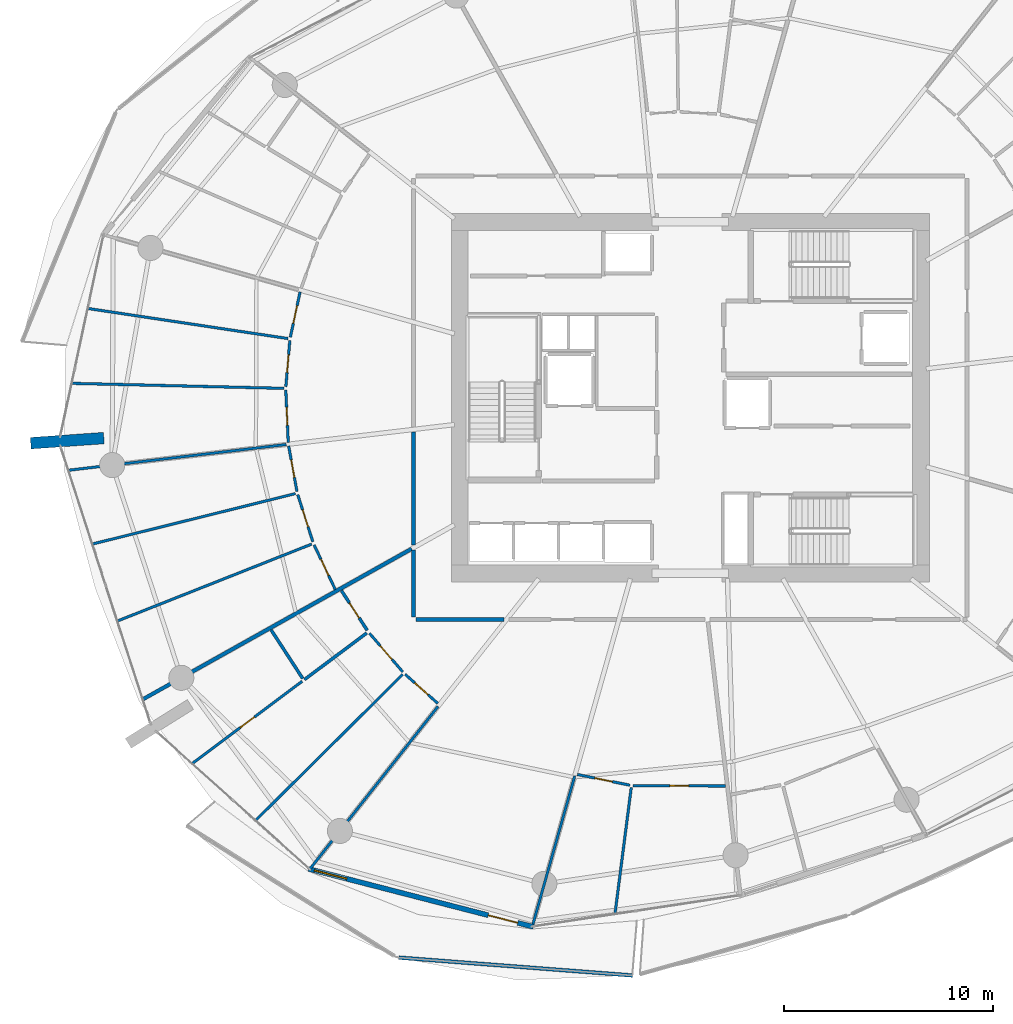
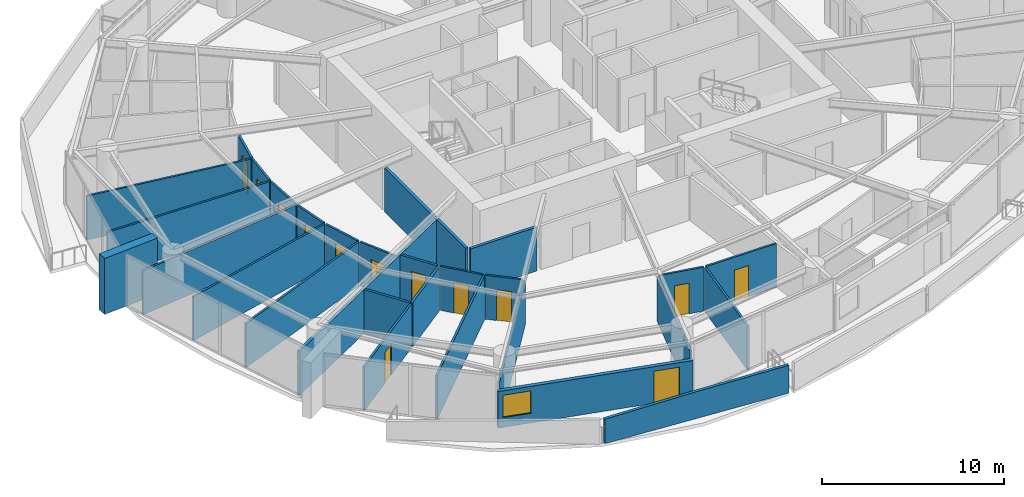
# One storey, part 11 of 23: 30 walls, 13 doors, 1 window, 14 openings.
"""IFC4 building model written with IfcOpenShell, lengths in metres."""

from ifc_helpers import new_model, si_unit, direction, frame, frame_2d, origin, place, context, subcontext, project, spatial, polyline, rectangle, outline, extrude, material, layer, layer_set, type_object, element, fill, save


model = new_model("IFC4")

# Units and contexts
model_context = context("Model", 3, precision=1e-05, world=origin(), true_north=direction((0.0, 1.0)))
body_context = subcontext(model_context, "Body", "Model", "MODEL_VIEW")
ifc_project = project(units=[si_unit("LENGTHUNIT", "METRE"), si_unit("AREAUNIT", "SQUARE_METRE"), si_unit("VOLUMEUNIT", "CUBIC_METRE"), si_unit("PLANEANGLEUNIT", "RADIAN"), si_unit("MASSUNIT", "GRAM", prefix="KILO")], contexts=[model_context])

# Site, building, storey
site_placement = place(None, origin())
site = spatial("IfcSite", under=ifc_project, at=site_placement, CompositionType="ELEMENT")
building_placement = place(site_placement, origin())
building = spatial("IfcBuilding", under=site, at=building_placement, Name="Kazma Halo Residences", CompositionType="ELEMENT")
storey_placement = place(building_placement, frame((0.0, 0.0, 78.89990234375)))
storey = spatial("IfcBuildingStorey", under=building, at=storey_placement, Name="L19", CompositionType="ELEMENT", Elevation=78.89990234375)

# Walls
ifc_material_1 = material(Name="White Concrete C50/60 Balustrade", Category="concrete")
ifc_layer_1 = layer(ifc_material_1, 0.179931640625)
ifc_layer_set_1 = layer_set([ifc_layer_1], Name="White Concrete C50/60 Balustrade")
wall_type_1 = type_object("IfcWallType", Name="WL-BAL-WAVE-180", PredefinedType="PARAPET", material=ifc_layer_set_1)
wall_1_placement = place(storey_placement, frame((34.489990234375, 15.2412109375, 0.0), z_axis=(0.0, 0.0, 1.0), x_axis=(0.997088496001, -0.076253073, 0.0)))
element("IfcWall", 1, at=wall_1_placement, inside=storey, type_object=wall_type_1, Name="L19 white wave balustrade wall SW.2", PredefinedType="PARAPET", context=body_context, shape_type="SweptSolid", body=[
    extrude(outline(polyline([(0.0, 0.0), (11.19970703125, 0.0), (11.199462890625, 1.860107421875), (5.599853515625, 1.798095703125), (0.0, 1.632080078125), (0.0, 0.0)])), frame((0.0, 0.08984375, 0.0), z_axis=(0.0, -1.0, 0.0), x_axis=(1.0, 0.0, 0.0)), (0.0, 0.0, 1.0), 0.179931640625),
])
ifc_material_2 = material(Name="Pale Concrete C60/75", Category="concrete")
ifc_layer_2 = layer(ifc_material_2, 0.550048828125)
ifc_layer_set_2 = layer_set([ifc_layer_2], Name="Pale Concrete C60/75")
wall_type_2 = type_object("IfcWallType", Name="WL-BLADE-550", PredefinedType="SOLIDWALL", material=ifc_layer_set_2)
wall_2_placement = place(storey_placement, frame((20.393798828125, 40.069580078125, 0.0), z_axis=(0.0, 0.0, 1.0), x_axis=(-0.997564163539, -0.069754853754, 0.0)))
element("IfcWall", 2, at=wall_2_placement, inside=storey, type_object=wall_type_2, Name="L19 pale concrete structural blade fin wall BW-02", PredefinedType="SOLIDWALL", context=body_context, shape_type="SweptSolid", body=[
    extrude(rectangle(XDim=3.5, YDim=0.550048828125, at=frame_2d((1.75, 0.0))), origin(), (0.0, 0.0, 1.0), 3.75),
])
ifc_material_3 = material(Name="Acoustic Twin-Stud Gypsum")
ifc_layer_3 = layer(ifc_material_3, 0.179931640625)
ifc_layer_set_3 = layer_set([ifc_layer_3], Name="Acoustic Twin-Stud Gypsum")
wall_type_3 = type_object("IfcWallType", Name="WL-DEM-180", PredefinedType="PARTITIONING", material=ifc_layer_set_3)
wall_3_placement = place(storey_placement, frame((35.10400390625, 34.778076171875, 0.0), z_axis=(0.0, 0.0, 1.0), x_axis=(-0.872490437896, -0.488631185845, 0.0)))
element("IfcWall", 3, at=wall_3_placement, inside=storey, type_object=wall_type_3, Name="L19 apartment demising radial wall 08", PredefinedType="PARTITIONING", context=body_context, shape_type="SweptSolid", body=[
    extrude(rectangle(XDim=14.698974609375, YDim=0.179931640625, at=frame_2d((7.349609375, 0.0))), origin(), (0.0, 0.0, 1.0), 2.940185546875),
])
wall_4_placement = place(storey_placement, frame((35.199951171875, 40.364990234375, 0.0), z_axis=(0.0, 0.0, 1.0), x_axis=(0.0, -1.0, 0.0)))
element("IfcWall", 4, at=wall_4_placement, inside=storey, type_object=wall_type_3, Name="L19 Apartment 1 inner wall 7", PredefinedType="PARTITIONING", context=body_context, shape_type="SweptSolid", body=[
    extrude(rectangle(XDim=5.413330078125, YDim=0.179931640625, at=frame_2d((2.70654296875, 0.0))), origin(), (0.0, 0.0, 1.0), 2.940185546875),
])
wall_5_placement = place(storey_placement, frame((35.199951171875, 34.711669921875, 0.0), z_axis=(0.0, 0.0, 1.0), x_axis=(0.0, -1.0, 0.0)))
element("IfcWall", 5, at=wall_5_placement, inside=storey, type_object=wall_type_3, Name="L19 Apartment 2 inner wall 8", PredefinedType="PARTITIONING", context=body_context, shape_type="SweptSolid", body=[
    extrude(rectangle(XDim=3.191650390625, YDim=0.179931640625, at=frame_2d((1.595703125, 0.0))), origin(), (0.0, 0.0, 1.0), 2.940185546875),
])
wall_6_placement = place(storey_placement, frame((35.320068359375, 31.39990234375, 0.0), z_axis=(0.0, 0.0, 1.0), x_axis=(1.0, 0.0, 0.0)))
element("IfcWall", 6, at=wall_6_placement, inside=storey, type_object=wall_type_3, Name="L19 Apartment 2 inner wall 8", PredefinedType="PARTITIONING", context=body_context, shape_type="SweptSolid", body=[
    extrude(rectangle(XDim=4.20361328125, YDim=0.179931640625, at=frame_2d((2.101806640625, 0.0))), origin(), (0.0, 0.0, 1.0), 2.940185546875),
])

# Wall, openings, door, window
ifc_material_4 = material(Name="Insulated Pale-Metal Composite Wall")
ifc_layer_4 = layer(ifc_material_4, 0.239990234375)
ifc_layer_set_4 = layer_set([ifc_layer_4], Name="Insulated Pale-Metal Composite Wall")
wall_type_4 = type_object("IfcWallType", Name="WL-EXT-HOST-240", PredefinedType="SOLIDWALL", material=ifc_layer_set_4)
wall_7_placement = place(storey_placement, frame((30.18603515625, 19.47705078125, 0.0), z_axis=(0.0, 0.0, 1.0), x_axis=(0.968356180858, -0.249572248045, 0.0)))
wall_7 = element("IfcWall", 7, at=wall_7_placement, inside=storey, type_object=wall_type_4, Name="L19 exterior terrace-access wall B10", PredefinedType="SOLIDWALL", context=body_context, shape_type="SweptSolid", body=[
    extrude(rectangle(XDim=11.08447265625, YDim=0.239990234375, at=frame_2d((5.542236328125, 0.0))), origin(), (0.0, 0.0, 1.0), 2.4501953125),
])
opening_1_placement = place(wall_7_placement, frame((8.864501953125, 0.0, 0.0)))
opening_1 = element("IfcOpeningElement", 8, at=opening_1_placement, cuts=wall_7, Name="Opening DTR-1600", PredefinedType="OPENING", context=body_context, shape_type="SweptSolid", body=[
    extrude(rectangle(XDim=1.449951171875, YDim=2.14990234375, at=frame_2d((0.72509765625, 1.074951171875))), frame((0.0, 0.1298828125, 0.0), z_axis=(0.0, -1.0, 0.0), x_axis=(1.0, 0.0, 0.0)), (0.0, 0.0, 1.0), 0.260009765625),
])
opening_2_placement = place(wall_7_placement, frame((0.280029296875, 0.0, 0.64990234375)))
opening_2 = element("IfcOpeningElement", 9, at=opening_2_placement, cuts=wall_7, Name="Opening W-1800", PredefinedType="OPENING", context=body_context, shape_type="SweptSolid", body=[
    extrude(rectangle(XDim=1.60009765625, YDim=1.5, at=frame_2d((0.800048828125, 0.75))), frame((0.0, 0.1298828125, 0.0), z_axis=(0.0, -1.0, 0.0), x_axis=(1.0, 0.0, 0.0)), (0.0, 0.0, 1.0), 0.260009765625),
])
ifc_material_5 = material(Name="Aluminium AW-6063 T6 Double-Glazed Terrace Door", Category="aluminium")
door_type_1 = type_object("IfcDoorType", Name="DR-EXT-TERR-1600", OperationType="NOTDEFINED", PredefinedType="DOOR", material=ifc_material_5)
door_1_placement = place(opening_1_placement, origin())
door_1 = element("IfcDoor", 10, at=door_1_placement, inside=storey, type_object=door_type_1, Name="L19 B10 balcony terrace door", OperationType="DOUBLE_DOOR_SLIDING", OverallHeight=2.14990234375, OverallWidth=1.449951171875, PredefinedType="DOOR", context=body_context, shape_type="SweptSolid", body=[
    extrude(rectangle(XDim=1.449951171875, YDim=2.14990234375, at=frame_2d((0.72509765625, 1.074951171875))), frame((0.0, 0.02490234375, 0.0), z_axis=(0.0, -1.0, 0.0), x_axis=(1.0, 0.0, 0.0)), (0.0, 0.0, 1.0), 0.050048828125),
])
fill(opening_1, door_1)
ifc_material_6 = material(Name="Clear Triple-Silver Low-E Glass in Aluminium AW-6063 T6 Frame", Category="aluminium")
window_type = type_object("IfcWindowType", Name="WIN-RES-1800", PartitioningType="DOUBLE_PANEL_VERTICAL", PredefinedType="WINDOW", material=ifc_material_6)
window_placement = place(opening_2_placement, origin())
window = element("IfcWindow", 11, at=window_placement, inside=storey, type_object=window_type, Name="L19 B10 apartment window", OverallHeight=1.5, OverallWidth=1.60009765625, PartitioningType="SINGLE_PANEL", PredefinedType="WINDOW", context=body_context, shape_type="SweptSolid", body=[
    extrude(rectangle(XDim=1.60009765625, YDim=1.5, at=frame_2d((0.800048828125, 0.75))), frame((0.0, 0.030029296875, 0.0), z_axis=(0.0, -1.0, 0.0), x_axis=(1.0, 0.0, 0.0)), (0.0, 0.0, 1.0), 0.06005859375),
])
fill(opening_2, window)

# Walls
ifc_material_7 = material(Name="Gypsum Plasterboard Partition")
ifc_layer_5 = layer(ifc_material_7, 0.125)
ifc_layer_set_5 = layer_set([ifc_layer_5], Name="Gypsum Plasterboard Partition")
wall_type_5 = type_object("IfcWallType", Name="WL-PART-125", PredefinedType="PARTITIONING", material=ifc_layer_set_5)
wall_8_placement = place(storey_placement, frame((29.202392578125, 44.826171875, 0.0), z_axis=(0.0, 0.0, 1.0), x_axis=(-0.988887169825, 0.14866797017, 0.0)))
element("IfcWall", 12, at=wall_8_placement, inside=storey, type_object=wall_type_5, Name="L19 Apartment 1 bay wall 1 6", PredefinedType="PARTITIONING", context=body_context, shape_type="SweptSolid", body=[
    extrude(rectangle(XDim=9.659423828125, YDim=0.125, at=frame_2d((4.82958984375, 0.0))), origin(), (0.0, 0.0, 1.0), 2.940185546875),
])
wall_9_placement = place(storey_placement, frame((28.996337890625, 42.44775390625, 0.0), z_axis=(0.0, 0.0, 1.0), x_axis=(-0.999721967936, 0.023579372877, 0.0)))
element("IfcWall", 13, at=wall_9_placement, inside=storey, type_object=wall_type_5, Name="L19 Apartment 1 bay wall 2 6", PredefinedType="PARTITIONING", context=body_context, shape_type="SweptSolid", body=[
    extrude(rectangle(XDim=10.115966796875, YDim=0.125, at=frame_2d((5.05810546875, 0.0))), origin(), (0.0, 0.0, 1.0), 2.940185546875),
])

# Wall, opening, door
wall_10_placement = place(storey_placement, frame((29.7744140625, 47.05712890625, 0.0), z_axis=(0.0, 0.0, 1.0), x_axis=(-0.210439442073, -0.977606895035, 0.0)))
wall_10 = element("IfcWall", 14, at=wall_10_placement, inside=storey, type_object=wall_type_5, Name="L19 Apartment 1 Primary Bedroom hall wall", PredefinedType="PARTITIONING", context=body_context, shape_type="SweptSolid", body=[
    extrude(rectangle(XDim=2.2158203125, YDim=0.125, at=frame_2d((1.10791015625, 0.0))), origin(), (0.0, 0.0, 1.0), 2.940185546875),
])
opening_3_placement = place(wall_10_placement, frame((0.68310546875, 0.0, 0.0)))
opening_3 = element("IfcOpeningElement", 15, at=opening_3_placement, cuts=wall_10, Name="Opening DB-900", PredefinedType="OPENING", context=body_context, shape_type="SweptSolid", body=[
    extrude(rectangle(XDim=0.85009765625, YDim=2.06005859375, at=frame_2d((0.425048828125, 1.030029296875))), frame((0.0, 0.072509765625, 0.0), z_axis=(0.0, -1.0, 0.0), x_axis=(1.0, 0.0, 0.0)), (0.0, 0.0, 1.0), 0.14501953125),
])
ifc_material_8 = material(Name="Moisture-Sealed Timber Leaf", Category="wood")
door_type_2 = type_object("IfcDoorType", Name="DR-BTH-900", OperationType="NOTDEFINED", PredefinedType="DOOR", material=ifc_material_8)
door_2_placement = place(opening_3_placement, origin())
door_2 = element("IfcDoor", 16, at=door_2_placement, inside=storey, type_object=door_type_2, Name="L19 Apartment 1 Primary Bedroom door", OperationType="SINGLE_SWING_LEFT", OverallHeight=2.06005859375, OverallWidth=0.85009765625, PredefinedType="DOOR", context=body_context, shape_type="SweptSolid", body=[
    extrude(rectangle(XDim=0.85009765625, YDim=2.06005859375, at=frame_2d((0.425048828125, 1.030029296875))), frame((0.0, 0.02490234375, 0.0), z_axis=(0.0, -1.0, 0.0), x_axis=(1.0, 0.0, 0.0)), (0.0, 0.0, 1.0), 0.050048828125),
])
fill(opening_3, door_2)

wall_11_placement = place(storey_placement, frame((29.284423828125, 44.73291015625, 0.0), z_axis=(0.0, 0.0, 1.0), x_axis=(-0.086273015931, -0.996271532627, 0.0)))
wall_11 = element("IfcWall", 17, at=wall_11_placement, inside=storey, type_object=wall_type_5, Name="L19 Apartment 1 Secondary Study hall wall", PredefinedType="PARTITIONING", context=body_context, shape_type="SweptSolid", body=[
    extrude(rectangle(XDim=2.2158203125, YDim=0.125, at=frame_2d((1.10791015625, 0.0))), origin(), (0.0, 0.0, 1.0), 2.940185546875),
])
opening_4_placement = place(wall_11_placement, frame((0.682861328125, 0.0, 0.0)))
opening_4 = element("IfcOpeningElement", 18, at=opening_4_placement, cuts=wall_11, Name="Opening DB-900", PredefinedType="OPENING", context=body_context, shape_type="SweptSolid", body=[
    extrude(rectangle(XDim=0.85009765625, YDim=2.06005859375, at=frame_2d((0.425048828125, 1.030029296875))), frame((0.0, 0.072509765625, 0.0), z_axis=(0.0, -1.0, 0.0), x_axis=(1.0, 0.0, 0.0)), (0.0, 0.0, 1.0), 0.14501953125),
])
door_3_placement = place(opening_4_placement, origin())
door_3 = element("IfcDoor", 19, at=door_3_placement, inside=storey, type_object=door_type_2, Name="L19 Apartment 1 Secondary Study door", OperationType="SINGLE_SWING_RIGHT", OverallHeight=2.06005859375, OverallWidth=0.85009765625, PredefinedType="DOOR", context=body_context, shape_type="SweptSolid", body=[
    extrude(rectangle(XDim=0.85009765625, YDim=2.06005859375, at=frame_2d((0.425048828125, 1.030029296875))), frame((0.0, 0.02490234375, 0.0), z_axis=(0.0, -1.0, 0.0), x_axis=(1.0, 0.0, 0.0)), (0.0, 0.0, 1.0), 0.050048828125),
])
fill(opening_4, door_3)

wall_12_placement = place(storey_placement, frame((29.090087890625, 42.36572265625, 0.0), z_axis=(0.0, 0.0, 1.0), x_axis=(0.047034181122, -0.998893280489, 0.0)))
wall_12 = element("IfcWall", 20, at=wall_12_placement, inside=storey, type_object=wall_type_5, Name="L19 Apartment 1 East Bedroom hall wall", PredefinedType="PARTITIONING", context=body_context, shape_type="SweptSolid", body=[
    extrude(rectangle(XDim=2.51220703125, YDim=0.125, at=frame_2d((1.256103515625, 0.0))), origin(), (0.0, 0.0, 1.0), 2.940185546875),
])
opening_5_placement = place(wall_12_placement, frame((0.831298828125, 0.0, 0.0)))
opening_5 = element("IfcOpeningElement", 21, at=opening_5_placement, cuts=wall_12, Name="Opening DB-900", PredefinedType="OPENING", context=body_context, shape_type="SweptSolid", body=[
    extrude(rectangle(XDim=0.85009765625, YDim=2.06005859375, at=frame_2d((0.425048828125, 1.030029296875))), frame((0.0, 0.072509765625, 0.0), z_axis=(0.0, -1.0, 0.0), x_axis=(1.0, 0.0, 0.0)), (0.0, 0.0, 1.0), 0.14501953125),
])
door_4_placement = place(opening_5_placement, origin())
door_4 = element("IfcDoor", 22, at=door_4_placement, inside=storey, type_object=door_type_2, Name="L19 Apartment 1 East Bedroom door", OperationType="SINGLE_SWING_LEFT", OverallHeight=2.06005859375, OverallWidth=0.85009765625, PredefinedType="DOOR", context=body_context, shape_type="SweptSolid", body=[
    extrude(rectangle(XDim=0.85009765625, YDim=2.06005859375, at=frame_2d((0.425048828125, 1.030029296875))), frame((0.0, 0.02490234375, 0.0), z_axis=(0.0, -1.0, 0.0), x_axis=(1.0, 0.0, 0.0)), (0.0, 0.0, 1.0), 0.050048828125),
])
fill(opening_5, door_4)

# Walls
wall_13_placement = place(storey_placement, frame((29.11279296875, 39.764404296875, 0.0), z_axis=(0.0, 0.0, 1.0), x_axis=(-0.993070875002, -0.117516965677, 0.0)))
element("IfcWall", 23, at=wall_13_placement, inside=storey, type_object=wall_type_5, Name="L19 Apartment 1 radial partition 7", PredefinedType="PARTITIONING", context=body_context, shape_type="SweptSolid", body=[
    extrude(rectangle(XDim=10.460205078125, YDim=0.125, at=frame_2d((5.22998046875, 0.0))), origin(), (0.0, 0.0, 1.0), 2.940185546875),
])
wall_14_placement = place(storey_placement, frame((29.5517578125, 37.41748046875, 0.0), z_axis=(0.0, 0.0, 1.0), x_axis=(-0.970504192203, -0.241084244437, 0.0)))
element("IfcWall", 24, at=wall_14_placement, inside=storey, type_object=wall_type_5, Name="L19 Apartment 1 bay wall 1 7", PredefinedType="PARTITIONING", context=body_context, shape_type="SweptSolid", body=[
    extrude(rectangle(XDim=9.975830078125, YDim=0.125, at=frame_2d((4.98779296875, 0.0))), origin(), (0.0, 0.0, 1.0), 2.940185546875),
])
wall_15_placement = place(storey_placement, frame((30.325927734375, 35.00244140625, 0.0), z_axis=(0.0, 0.0, 1.0), x_axis=(-0.929777602375, -0.368121732748, 0.0)))
element("IfcWall", 25, at=wall_15_placement, inside=storey, type_object=wall_type_5, Name="L19 Apartment 1 bay wall 2 7", PredefinedType="PARTITIONING", context=body_context, shape_type="SweptSolid", body=[
    extrude(rectangle(XDim=9.960693359375, YDim=0.125, at=frame_2d((4.98046875, 0.0))), origin(), (0.0, 0.0, 1.0), 2.940185546875),
])

# Wall, opening, door
wall_16_placement = place(storey_placement, frame((29.2265625, 39.697509765625, 0.0), z_axis=(0.0, 0.0, 1.0), x_axis=(0.179602920825, -0.983739188419, 0.0)))
wall_16 = element("IfcWall", 26, at=wall_16_placement, inside=storey, type_object=wall_type_5, Name="L19 Apartment 1 West Bedroom hall wall", PredefinedType="PARTITIONING", context=body_context, shape_type="SweptSolid", body=[
    extrude(rectangle(XDim=2.2158203125, YDim=0.125, at=frame_2d((1.10791015625, 0.0))), origin(), (0.0, 0.0, 1.0), 2.940185546875),
])
opening_6_placement = place(wall_16_placement, frame((0.682861328125, 0.0, 0.0)))
opening_6 = element("IfcOpeningElement", 27, at=opening_6_placement, cuts=wall_16, Name="Opening DB-900", PredefinedType="OPENING", context=body_context, shape_type="SweptSolid", body=[
    extrude(rectangle(XDim=0.85009765625, YDim=2.06005859375, at=frame_2d((0.425048828125, 1.030029296875))), frame((0.0, 0.072509765625, 0.0), z_axis=(0.0, -1.0, 0.0), x_axis=(1.0, 0.0, 0.0)), (0.0, 0.0, 1.0), 0.14501953125),
])
door_5_placement = place(opening_6_placement, origin())
door_5 = element("IfcDoor", 28, at=door_5_placement, inside=storey, type_object=door_type_2, Name="L19 Apartment 1 West Bedroom door", OperationType="SINGLE_SWING_RIGHT", OverallHeight=2.06005859375, OverallWidth=0.85009765625, PredefinedType="DOOR", context=body_context, shape_type="SweptSolid", body=[
    extrude(rectangle(XDim=0.85009765625, YDim=2.06005859375, at=frame_2d((0.425048828125, 1.030029296875))), frame((0.0, 0.02490234375, 0.0), z_axis=(0.0, -1.0, 0.0), x_axis=(1.0, 0.0, 0.0)), (0.0, 0.0, 1.0), 0.050048828125),
])
fill(opening_6, door_5)

wall_17_placement = place(storey_placement, frame((29.663330078125, 37.36279296875, 0.0), z_axis=(0.0, 0.0, 1.0), x_axis=(0.305393983716, -0.952226083822, 0.0)))
wall_17 = element("IfcWall", 29, at=wall_17_placement, inside=storey, type_object=wall_type_5, Name="L19 Apartment 1 North Study hall wall", PredefinedType="PARTITIONING", context=body_context, shape_type="SweptSolid", body=[
    extrude(rectangle(XDim=2.364013671875, YDim=0.125, at=frame_2d((1.18212890625, 0.0))), origin(), (0.0, 0.0, 1.0), 2.940185546875),
])
opening_7_placement = place(wall_17_placement, frame((0.757080078125, 0.0, 0.0)))
opening_7 = element("IfcOpeningElement", 30, at=opening_7_placement, cuts=wall_17, Name="Opening DB-900", PredefinedType="OPENING", context=body_context, shape_type="SweptSolid", body=[
    extrude(rectangle(XDim=0.85009765625, YDim=2.06005859375, at=frame_2d((0.425048828125, 1.030029296875))), frame((0.0, 0.072509765625, 0.0), z_axis=(0.0, -1.0, 0.0), x_axis=(1.0, 0.0, 0.0)), (0.0, 0.0, 1.0), 0.14501953125),
])
door_6_placement = place(opening_7_placement, origin())
door_6 = element("IfcDoor", 31, at=door_6_placement, inside=storey, type_object=door_type_2, Name="L19 Apartment 1 North Study door", OperationType="SINGLE_SWING_LEFT", OverallHeight=2.06005859375, OverallWidth=0.85009765625, PredefinedType="DOOR", context=body_context, shape_type="SweptSolid", body=[
    extrude(rectangle(XDim=0.85009765625, YDim=2.06005859375, at=frame_2d((0.425048828125, 1.030029296875))), frame((0.0, 0.02490234375, 0.0), z_axis=(0.0, -1.0, 0.0), x_axis=(1.0, 0.0, 0.0)), (0.0, 0.0, 1.0), 0.050048828125),
])
fill(opening_7, door_6)

wall_18_placement = place(storey_placement, frame((30.44384765625, 34.963134765625, 0.0), z_axis=(0.0, 0.0, 1.0), x_axis=(0.429404357622, -0.903112339443, 0.0)))
wall_18 = element("IfcWall", 32, at=wall_18_placement, inside=storey, type_object=wall_type_5, Name="L19 Apartment 1 South Bedroom hall wall", PredefinedType="PARTITIONING", context=body_context, shape_type="SweptSolid", body=[
    extrude(rectangle(XDim=2.364013671875, YDim=0.125, at=frame_2d((1.18212890625, 0.0))), origin(), (0.0, 0.0, 1.0), 2.940185546875),
])
opening_8_placement = place(wall_18_placement, frame((0.757080078125, 0.0, 0.0)))
opening_8 = element("IfcOpeningElement", 33, at=opening_8_placement, cuts=wall_18, Name="Opening DB-900", PredefinedType="OPENING", context=body_context, shape_type="SweptSolid", body=[
    extrude(rectangle(XDim=0.85009765625, YDim=2.06005859375, at=frame_2d((0.425048828125, 1.030029296875))), frame((0.0, 0.072509765625, 0.0), z_axis=(0.0, -1.0, 0.0), x_axis=(1.0, 0.0, 0.0)), (0.0, 0.0, 1.0), 0.14501953125),
])
door_7_placement = place(opening_8_placement, origin())
door_7 = element("IfcDoor", 34, at=door_7_placement, inside=storey, type_object=door_type_2, Name="L19 Apartment 1 South Bedroom door", OperationType="SINGLE_SWING_RIGHT", OverallHeight=2.06005859375, OverallWidth=0.85009765625, PredefinedType="DOOR", context=body_context, shape_type="SweptSolid", body=[
    extrude(rectangle(XDim=0.85009765625, YDim=2.06005859375, at=frame_2d((0.425048828125, 1.030029296875))), frame((0.0, 0.02490234375, 0.0), z_axis=(0.0, -1.0, 0.0), x_axis=(1.0, 0.0, 0.0)), (0.0, 0.0, 1.0), 0.050048828125),
])
fill(opening_8, door_7)

# Wall
wall_19_placement = place(storey_placement, frame((36.367919921875, 27.24462890625, 0.0), z_axis=(0.0, 0.0, 1.0), x_axis=(-0.619096231027, -0.785315132115, 0.0)))
element("IfcWall", 35, at=wall_19_placement, inside=storey, type_object=wall_type_5, Name="L19 Apartment 2 living radial partition 8", PredefinedType="PARTITIONING", context=body_context, shape_type="SweptSolid", body=[
    extrude(rectangle(XDim=9.882080078125, YDim=0.125, at=frame_2d((4.94091796875, 0.0))), origin(), (0.0, 0.0, 1.0), 2.940185546875),
])

# Wall, opening, door
wall_20_placement = place(storey_placement, frame((29.877197265625, 28.448486328125, 0.0), z_axis=(0.0, 0.0, 1.0), x_axis=(-0.800862229892, -0.598848635911, 0.0)))
wall_20 = element("IfcWall", 36, at=wall_20_placement, inside=storey, type_object=wall_type_5, Name="L19 Apartment 2 Household Store Room partition wall", PredefinedType="PARTITIONING", context=body_context, shape_type="SweptSolid", body=[
    extrude(rectangle(XDim=6.551513671875, YDim=0.125, at=frame_2d((3.27587890625, 0.0))), origin(), (0.0, 0.0, 1.0), 2.940185546875),
])
opening_9_placement = place(wall_20_placement, frame((2.850830078125, 0.0, 0.0)))
opening_9 = element("IfcOpeningElement", 37, at=opening_9_placement, cuts=wall_20, Name="Opening DB-900", PredefinedType="OPENING", context=body_context, shape_type="SweptSolid", body=[
    extrude(rectangle(XDim=0.85009765625, YDim=2.06005859375, at=frame_2d((0.425048828125, 1.030029296875))), frame((0.0, 0.072509765625, 0.0), z_axis=(0.0, -1.0, 0.0), x_axis=(1.0, 0.0, 0.0)), (0.0, 0.0, 1.0), 0.14501953125),
])
door_8_placement = place(opening_9_placement, origin())
door_8 = element("IfcDoor", 38, at=door_8_placement, inside=storey, type_object=door_type_2, Name="L19 Apartment 2 Household Store Room door", OperationType="SINGLE_SWING_LEFT", OverallHeight=2.06005859375, OverallWidth=0.85009765625, PredefinedType="DOOR", context=body_context, shape_type="SweptSolid", body=[
    extrude(rectangle(XDim=0.85009765625, YDim=2.06005859375, at=frame_2d((0.425048828125, 1.030029296875))), frame((0.0, 0.02490234375, 0.0), z_axis=(0.0, -1.0, 0.0), x_axis=(1.0, 0.0, 0.0)), (0.0, 0.0, 1.0), 0.050048828125),
])
fill(opening_9, door_8)

# Wall
wall_21_placement = place(storey_placement, frame((34.673095703125, 28.769287109375, 0.0), z_axis=(0.0, 0.0, 1.0), x_axis=(-0.709671596246, -0.70453262911, 0.0)))
element("IfcWall", 39, at=wall_21_placement, inside=storey, type_object=wall_type_5, Name="L19 Apartment 2 suite divider 8", PredefinedType="PARTITIONING", context=body_context, shape_type="SweptSolid", body=[
    extrude(rectangle(XDim=9.881591796875, YDim=0.125, at=frame_2d((4.94091796875, 0.0))), origin(), (0.0, 0.0, 1.0), 2.940185546875),
])

# Wall, opening, door
wall_22_placement = place(storey_placement, frame((33.091552734375, 30.739990234375, 0.0), z_axis=(0.0, 0.0, 1.0), x_axis=(0.653244508484, -0.757147021479, 0.0)))
wall_22 = element("IfcWall", 40, at=wall_22_placement, inside=storey, type_object=wall_type_5, Name="L19 Apartment 2 Gourmet Kitchen hall wall", PredefinedType="PARTITIONING", context=body_context, shape_type="SweptSolid", body=[
    extrude(rectangle(XDim=2.43896484375, YDim=0.125, at=frame_2d((1.219482421875, 0.0))), origin(), (0.0, 0.0, 1.0), 2.940185546875),
])
opening_10_placement = place(wall_22_placement, frame((0.79443359375, 0.0, 0.0)))
opening_10 = element("IfcOpeningElement", 41, at=opening_10_placement, cuts=wall_22, Name="Opening DB-900", PredefinedType="OPENING", context=body_context, shape_type="SweptSolid", body=[
    extrude(rectangle(XDim=0.85009765625, YDim=2.06005859375, at=frame_2d((0.425048828125, 1.030029296875))), frame((0.0, 0.072509765625, 0.0), z_axis=(0.0, -1.0, 0.0), x_axis=(1.0, 0.0, 0.0)), (0.0, 0.0, 1.0), 0.14501953125),
])
door_9_placement = place(opening_10_placement, origin())
door_9 = element("IfcDoor", 42, at=door_9_placement, inside=storey, type_object=door_type_2, Name="L19 Apartment 2 Gourmet Kitchen door", OperationType="SINGLE_SWING_RIGHT", OverallHeight=2.06005859375, OverallWidth=0.85009765625, PredefinedType="DOOR", context=body_context, shape_type="SweptSolid", body=[
    extrude(rectangle(XDim=0.85009765625, YDim=2.06005859375, at=frame_2d((0.425048828125, 1.030029296875))), frame((0.0, 0.02490234375, 0.0), z_axis=(0.0, -1.0, 0.0), x_axis=(1.0, 0.0, 0.0)), (0.0, 0.0, 1.0), 0.050048828125),
])
fill(opening_10, door_9)

wall_23_placement = place(storey_placement, frame((34.796875, 28.779541015625, 0.0), z_axis=(0.0, 0.0, 1.0), x_axis=(0.74635037564, -0.665553241132, 0.0)))
wall_23 = element("IfcWall", 43, at=wall_23_placement, inside=storey, type_object=wall_type_5, Name="L19 Apartment 2 Primary Bedroom hall wall", PredefinedType="PARTITIONING", context=body_context, shape_type="SweptSolid", body=[
    extrude(rectangle(XDim=2.087890625, YDim=0.125, at=frame_2d((1.0439453125, 0.0))), origin(), (0.0, 0.0, 1.0), 2.940185546875),
])
opening_11_placement = place(wall_23_placement, frame((0.618896484375, 0.0, 0.0)))
opening_11 = element("IfcOpeningElement", 44, at=opening_11_placement, cuts=wall_23, Name="Opening DB-900", PredefinedType="OPENING", context=body_context, shape_type="SweptSolid", body=[
    extrude(rectangle(XDim=0.85009765625, YDim=2.06005859375, at=frame_2d((0.425048828125, 1.030029296875))), frame((0.0, 0.072509765625, 0.0), z_axis=(0.0, -1.0, 0.0), x_axis=(1.0, 0.0, 0.0)), (0.0, 0.0, 1.0), 0.14501953125),
])
door_10_placement = place(opening_11_placement, origin())
door_10 = element("IfcDoor", 45, at=door_10_placement, inside=storey, type_object=door_type_2, Name="L19 Apartment 2 Primary Bedroom door", OperationType="SINGLE_SWING_LEFT", OverallHeight=2.06005859375, OverallWidth=0.85009765625, PredefinedType="DOOR", context=body_context, shape_type="SweptSolid", body=[
    extrude(rectangle(XDim=0.85009765625, YDim=2.06005859375, at=frame_2d((0.425048828125, 1.030029296875))), frame((0.0, 0.02490234375, 0.0), z_axis=(0.0, -1.0, 0.0), x_axis=(1.0, 0.0, 0.0)), (0.0, 0.0, 1.0), 0.050048828125),
])
fill(opening_11, door_10)

# Walls
wall_24_placement = place(storey_placement, frame((42.89990234375, 23.91650390625, 0.0), z_axis=(0.0, 0.0, 1.0), x_axis=(-0.27145069635, -0.962452346587, 0.0)))
element("IfcWall", 46, at=wall_24_placement, inside=storey, type_object=wall_type_5, Name="L19 Apartment 2 radial partition 10", PredefinedType="PARTITIONING", context=body_context, shape_type="SweptSolid", body=[
    extrude(rectangle(XDim=7.348876953125, YDim=0.125, at=frame_2d((3.67431640625, 0.0))), origin(), (0.0, 0.0, 1.0), 2.940185546875),
])
wall_25_placement = place(storey_placement, frame((45.6025390625, 23.37451171875, 0.0), z_axis=(0.0, 0.0, 1.0), x_axis=(-0.127689849516, -0.991814147071, 0.0)))
element("IfcWall", 47, at=wall_25_placement, inside=storey, type_object=wall_type_5, Name="L19 Apartment 2 mid-bay wall 10", PredefinedType="PARTITIONING", context=body_context, shape_type="SweptSolid", body=[
    extrude(rectangle(XDim=6.08203125, YDim=0.125, at=frame_2d((3.041015625, 0.0))), origin(), (0.0, 0.0, 1.0), 2.940185546875),
])

# Wall, opening, door
wall_26_placement = place(storey_placement, frame((43.02490234375, 23.99267578125, 0.0), z_axis=(0.0, 0.0, 1.0), x_axis=(0.97978119615, -0.200072006215, 0.0)))
wall_26 = element("IfcWall", 48, at=wall_26_placement, inside=storey, type_object=wall_type_5, Name="L19 Apartment 2 East Bedroom hall wall", PredefinedType="PARTITIONING", context=body_context, shape_type="SweptSolid", body=[
    extrude(rectangle(XDim=2.5625, YDim=0.125, at=frame_2d((1.28125, 0.0))), origin(), (0.0, 0.0, 1.0), 2.940185546875),
])
opening_12_placement = place(wall_26_placement, frame((0.856201171875, 0.0, 0.0)))
opening_12 = element("IfcOpeningElement", 49, at=opening_12_placement, cuts=wall_26, Name="Opening DB-900", PredefinedType="OPENING", context=body_context, shape_type="SweptSolid", body=[
    extrude(rectangle(XDim=0.85009765625, YDim=2.06005859375, at=frame_2d((0.425048828125, 1.030029296875))), frame((0.0, 0.072509765625, 0.0), z_axis=(0.0, -1.0, 0.0), x_axis=(1.0, 0.0, 0.0)), (0.0, 0.0, 1.0), 0.14501953125),
])
door_11_placement = place(opening_12_placement, origin())
door_11 = element("IfcDoor", 50, at=door_11_placement, inside=storey, type_object=door_type_2, Name="L19 Apartment 2 East Bedroom door", OperationType="SINGLE_SWING_RIGHT", OverallHeight=2.06005859375, OverallWidth=0.85009765625, PredefinedType="DOOR", context=body_context, shape_type="SweptSolid", body=[
    extrude(rectangle(XDim=0.85009765625, YDim=2.06005859375, at=frame_2d((0.425048828125, 1.030029296875))), frame((0.0, 0.02490234375, 0.0), z_axis=(0.0, -1.0, 0.0), x_axis=(1.0, 0.0, 0.0)), (0.0, 0.0, 1.0), 0.050048828125),
])
fill(opening_12, door_11)

wall_27_placement = place(storey_placement, frame((45.694091796875, 23.46337890625, 0.0), z_axis=(0.0, 0.0, 1.0), x_axis=(0.999986986287, -0.005101691496, 0.0)))
wall_27 = element("IfcWall", 51, at=wall_27_placement, inside=storey, type_object=wall_type_5, Name="L19 Apartment 2 West Bedroom hall wall", PredefinedType="PARTITIONING", context=body_context, shape_type="SweptSolid", body=[
    extrude(rectangle(XDim=4.402587890625, YDim=0.125, at=frame_2d((2.201171875, 0.0))), origin(), (0.0, 0.0, 1.0), 2.940185546875),
])
opening_13_placement = place(wall_27_placement, frame((1.75146484375, 0.0, 0.0)))
opening_13 = element("IfcOpeningElement", 52, at=opening_13_placement, cuts=wall_27, Name="Opening DI-950", PredefinedType="OPENING", context=body_context, shape_type="SweptSolid", body=[
    extrude(rectangle(XDim=0.89990234375, YDim=2.080078125, at=frame_2d((0.449951171875, 1.0400390625))), frame((0.0, 0.072509765625, 0.0), z_axis=(0.0, -1.0, 0.0), x_axis=(1.0, 0.0, 0.0)), (0.0, 0.0, 1.0), 0.14501953125),
])
ifc_material_9 = material(Name="Timber Veneer Flush Leaf", Category="wood")
door_type_3 = type_object("IfcDoorType", Name="DR-INT-950", OperationType="NOTDEFINED", PredefinedType="DOOR", material=ifc_material_9)
door_12_placement = place(opening_13_placement, origin())
door_12 = element("IfcDoor", 53, at=door_12_placement, inside=storey, type_object=door_type_3, Name="L19 Apartment 2 West Bedroom door", OperationType="SINGLE_SWING_LEFT", OverallHeight=2.080078125, OverallWidth=0.89990234375, PredefinedType="DOOR", context=body_context, shape_type="SweptSolid", body=[
    extrude(rectangle(XDim=0.89990234375, YDim=2.080078125, at=frame_2d((0.449951171875, 1.0400390625))), frame((0.0, 0.02490234375, 0.0), z_axis=(0.0, -1.0, 0.0), x_axis=(1.0, 0.0, 0.0)), (0.0, 0.0, 1.0), 0.050048828125),
])
fill(opening_13, door_12)

ifc_material_10 = material(Name="Moisture-Resistant Gypsum")
ifc_layer_6 = layer(ifc_material_10, 0.14990234375)
ifc_layer_set_6 = layer_set([ifc_layer_6], Name="Moisture-Resistant Gypsum")
wall_type_6 = type_object("IfcWallType", Name="WL-WET-150", PredefinedType="PARTITIONING", material=ifc_layer_set_6)
wall_28_placement = place(storey_placement, frame((31.748291015625, 32.784423828125, 0.0), z_axis=(0.0, 0.0, 1.0), x_axis=(0.544920213423, -0.838487901524, 0.0)))
wall_28 = element("IfcWall", 54, at=wall_28_placement, inside=storey, type_object=wall_type_6, Name="L19 Apartment 2 Guest Bathroom hall wall", PredefinedType="PARTITIONING", context=body_context, shape_type="SweptSolid", body=[
    extrude(rectangle(XDim=2.26708984375, YDim=0.14990234375, at=frame_2d((1.133544921875, 0.0))), origin(), (0.0, 0.0, 1.0), 2.940185546875),
])
opening_14_placement = place(wall_28_placement, frame((0.70849609375, 0.0, 0.0)))
opening_14 = element("IfcOpeningElement", 55, at=opening_14_placement, cuts=wall_28, Name="Opening DB-900", PredefinedType="OPENING", context=body_context, shape_type="SweptSolid", body=[
    extrude(rectangle(XDim=0.85009765625, YDim=2.06005859375, at=frame_2d((0.425048828125, 1.030029296875))), frame((0.0, 0.0849609375, 0.0), z_axis=(0.0, -1.0, 0.0), x_axis=(1.0, 0.0, 0.0)), (0.0, 0.0, 1.0), 0.169921875),
])
door_13_placement = place(opening_14_placement, origin())
door_13 = element("IfcDoor", 56, at=door_13_placement, inside=storey, type_object=door_type_2, Name="L19 Apartment 2 Guest Bathroom door", OperationType="SINGLE_SWING_RIGHT", OverallHeight=2.06005859375, OverallWidth=0.85009765625, PredefinedType="DOOR", context=body_context, shape_type="SweptSolid", body=[
    extrude(rectangle(XDim=0.85009765625, YDim=2.06005859375, at=frame_2d((0.425048828125, 1.030029296875))), frame((0.0, 0.02490234375, 0.0), z_axis=(0.0, -1.0, 0.0), x_axis=(1.0, 0.0, 0.0)), (0.0, 0.0, 1.0), 0.050048828125),
])
fill(opening_14, door_13)

# Walls
wall_29_placement = place(storey_placement, frame((28.389404296875, 30.9033203125, 0.0), z_axis=(0.0, 0.0, 1.0), x_axis=(0.544849096032, -0.838534115318, 0.0)))
element("IfcWall", 57, at=wall_29_placement, inside=storey, type_object=wall_type_6, Name="L19 Apartment 2 Guest Bathroom back wall", PredefinedType="PARTITIONING", context=body_context, shape_type="SweptSolid", body=[
    extrude(rectangle(XDim=2.773193359375, YDim=0.14990234375, at=frame_2d((1.38671875, 0.0))), origin(), (0.0, 0.0, 1.0), 2.940185546875),
])
wall_30_placement = place(storey_placement, frame((32.960693359375, 30.754150390625, 0.0), z_axis=(0.0, 0.0, 1.0), x_axis=(-0.800889069655, -0.598812740435, 0.0)))
element("IfcWall", 58, at=wall_30_placement, inside=storey, type_object=wall_type_6, Name="L19 Apartment 2 Guest Bathroom side wall", PredefinedType="PARTITIONING", context=body_context, shape_type="SweptSolid", body=[
    extrude(rectangle(XDim=3.719970703125, YDim=0.14990234375, at=frame_2d((1.85986328125, 0.0))), origin(), (0.0, 0.0, 1.0), 2.940185546875),
])

save(model, "model.ifc")
